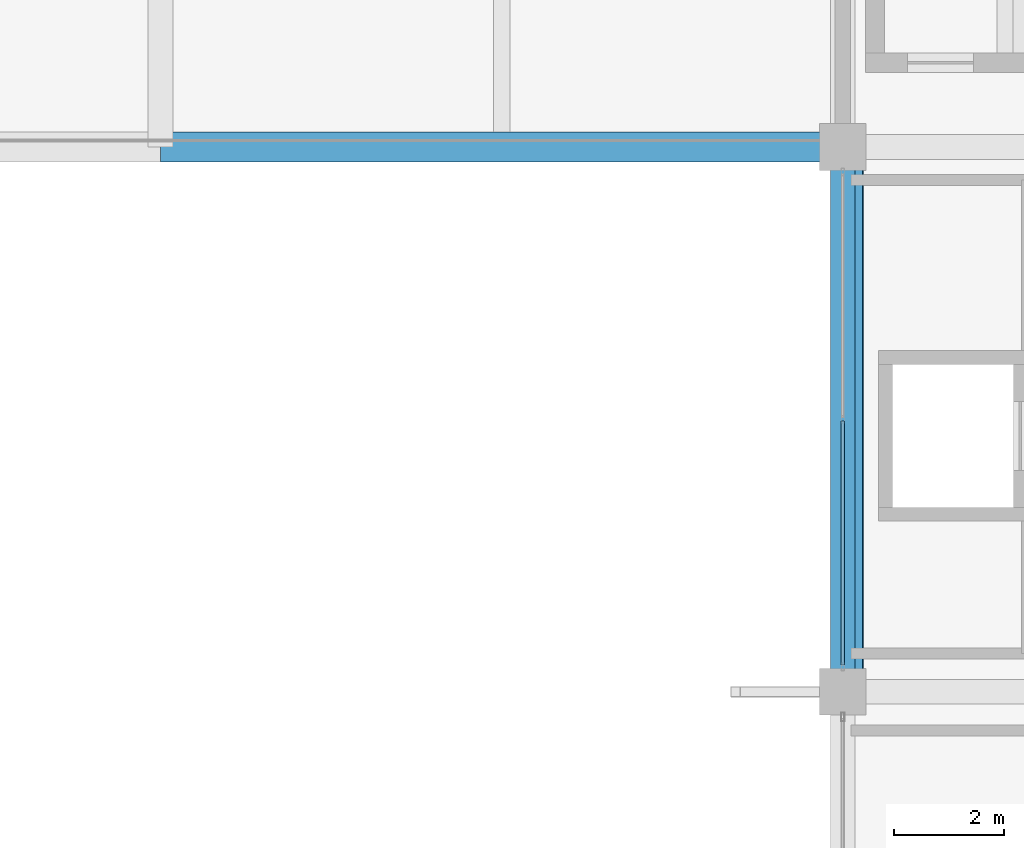
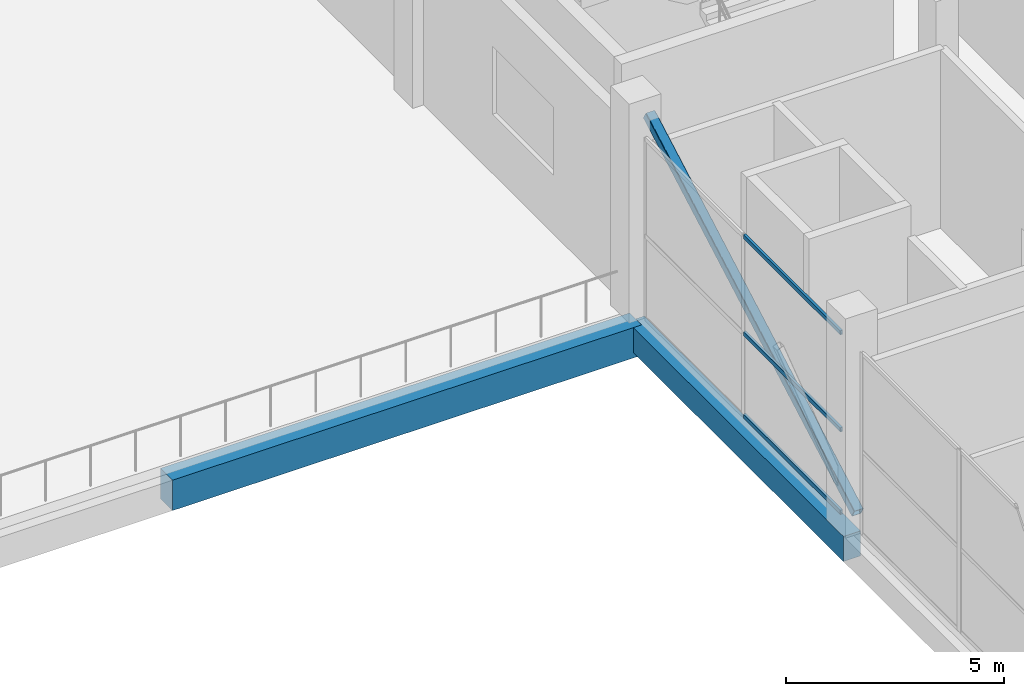
# One storey, part 15 of 46: 4 members, 2 beams, 1 element without a shape of its own.
"""IFC4 building model written with IfcOpenShell, lengths in metres."""

import ifcopenshell
import ifcopenshell.guid

model = None  # the IFC model being written
_history = None  # IfcOwnerHistory: only IFC2X3 demands one
_inside = {}  # id of a spatial element -> (the spatial element, [elements in it])
_under = {}  # id of a project, library or spatial element -> (it, [spatial elements below it])
_declared = {}  # id of a project -> (the project, [libraries it declares])
_typed = {}  # id of a type object -> (the type object, [elements of that type])
_made_of = {}  # id of a material, layer set ... -> (it, [elements and type objects made of it])


def new_model(schema):
    """Start an empty IFC model of exactly this schema.

    Asked for "IFC4X3", IfcOpenShell would pick the latest addendum, in which some entities
    have other attributes; the version numbers below select the first issue.
    IFC2X3 requires an IfcOwnerHistory on every rooted entity: one is made here for all.
    """
    global model, _history
    if schema == "IFC4X3":
        model = ifcopenshell.file(schema_version=(4, 3, 0, 0))
    else:
        model = ifcopenshell.file(schema=schema)
    _inside.clear()
    _under.clear()
    _declared.clear()
    _typed.clear()
    _made_of.clear()
    _history = None
    if model.schema == "IFC2X3":
        org = make("IfcOrganization", Name="unknown")
        user = make(
            "IfcPersonAndOrganization",
            ThePerson=make("IfcPerson", FamilyName="unknown"),
            TheOrganization=org,
        )
        app = make(
            "IfcApplication",
            ApplicationDeveloper=org,
            Version="unknown",
            ApplicationFullName="unknown",
            ApplicationIdentifier="unknown",
        )
        _history = make(
            "IfcOwnerHistory",
            OwningUser=user,
            OwningApplication=app,
            ChangeAction="ADDED",
            CreationDate=0,
        )
    return model


def make(cls, **values):
    """One entity of the class cls with the attributes given. An attribute that is None is left unset."""
    return model.create_entity(
        cls, **{name: value for name, value in values.items() if value is not None}
    )


def rooted(cls, **values):
    """An entity with a GlobalId (a new one), such as an element, a storey or a relation."""
    return make(cls, GlobalId=ifcopenshell.guid.new(), OwnerHistory=_history, **values)


def si_unit(unit_type, name, prefix=None):
    """IfcSIUnit, for example si_unit("LENGTHUNIT", "METRE", prefix="MILLI")."""
    return make("IfcSIUnit", UnitType=unit_type, Prefix=prefix, Name=name)


def assignment(units):
    """IfcUnitAssignment: the units of a project."""
    return None if units is None else make("IfcUnitAssignment", Units=units)


def point(xyz):
    """IfcCartesianPoint."""
    return None if xyz is None else make("IfcCartesianPoint", Coordinates=xyz)


def direction(xyz):
    """IfcDirection."""
    return None if xyz is None else make("IfcDirection", DirectionRatios=xyz)


def frame(location, z_axis=None, x_axis=None):
    """IfcAxis2Placement3D, a coordinate frame: its origin and axes. An axis left out is left unset."""
    return make(
        "IfcAxis2Placement3D",
        Location=point(location),
        Axis=direction(z_axis),
        RefDirection=direction(x_axis),
    )


def frame_2d(location, x_axis=None):
    """IfcAxis2Placement2D, a coordinate frame in the plane: its origin and x axis."""
    return make(
        "IfcAxis2Placement2D", Location=point(location), RefDirection=direction(x_axis)
    )


def origin():
    """The frame at (0, 0, 0) with its axes left unset."""
    return frame((0.0, 0.0, 0.0))


def origin_2d():
    """The frame at (0, 0) in the plane with its x axis left unset."""
    return frame_2d((0.0, 0.0))


def place(relative_to, where):
    """IfcLocalPlacement: puts the frame where relative to a parent placement (None: the world)."""
    return make(
        "IfcLocalPlacement", PlacementRelTo=relative_to, RelativePlacement=where
    )


def context(
    kind, dimensions, precision=None, world=None, true_north=None, identifier=None
):
    """IfcGeometricRepresentationContext, for example the 3D "Model" context."""
    return make(
        "IfcGeometricRepresentationContext",
        ContextIdentifier=identifier,
        ContextType=kind,
        CoordinateSpaceDimension=dimensions,
        Precision=precision,
        WorldCoordinateSystem=world,
        TrueNorth=true_north,
    )


def subcontext(parent, identifier, kind, view, scale=None):
    """IfcGeometricRepresentationSubContext, for example "Body" below "Model"."""
    return make(
        "IfcGeometricRepresentationSubContext",
        ContextIdentifier=identifier,
        ContextType=kind,
        ParentContext=parent,
        TargetScale=scale,
        TargetView=view,
    )


def project(units=None, contexts=None):
    """IfcProject with its units and contexts."""
    return rooted(
        "IfcProject",
        Name="project",
        RepresentationContexts=contexts,
        UnitsInContext=assignment(units),
    )


def spatial(cls, under=None, at=None, **own):
    """A site, building, storey or space (cls), placed at a placement, below another one or the project."""
    s = rooted(cls, ObjectPlacement=at, **own)
    if under is not None:
        _under.setdefault(under.id(), (under, []))[1].append(s)
    return s


def profile(cls, at=None, kind="AREA", **sizes):
    """A parametric profile (cls). Its sizes go by their IFC names, for example OverallWidth=200.0."""
    return make(cls, ProfileType=kind, Position=at, **sizes)


def rectangle(**sizes):
    """IfcRectangleProfileDef."""
    return profile("IfcRectangleProfileDef", **sizes)


def hollow_rectangle(**sizes):
    """IfcRectangleHollowProfileDef."""
    return profile("IfcRectangleHollowProfileDef", **sizes)


def extrude(swept, where, along, depth):
    """IfcExtrudedAreaSolid: the profile swept, set in the frame where, extruded along a direction by depth."""
    return make(
        "IfcExtrudedAreaSolid",
        SweptArea=swept,
        Position=where,
        ExtrudedDirection=direction(along),
        Depth=depth,
    )


def shape(context_of_items, identifier, shape_type, items):
    """IfcShapeRepresentation: the items that make up one representation, for example the "Body"."""
    return make(
        "IfcShapeRepresentation",
        ContextOfItems=context_of_items,
        RepresentationIdentifier=identifier,
        RepresentationType=shape_type,
        Items=items,
    )


def material(Name=None, Category=None):
    """IfcMaterial."""
    return make("IfcMaterial", Name=Name, Category=Category)


def layer(
    of_material, thickness, ventilated=None, Name=None, Category=None, Priority=None
):
    """IfcMaterialLayer: one layer of a wall or slab, of a material (None: an air gap)."""
    return make(
        "IfcMaterialLayer",
        Material=of_material,
        LayerThickness=thickness,
        IsVentilated=ventilated,
        Name=Name,
        Category=Category,
        Priority=Priority,
    )


def layer_set(layers, Name=None):
    """IfcMaterialLayerSet."""
    return make("IfcMaterialLayerSet", MaterialLayers=layers, LayerSetName=Name)


def material_profile(
    of_material, cross_section, Name=None, Category=None, Priority=None
):
    """IfcMaterialProfile: a cross section and its material."""
    return make(
        "IfcMaterialProfile",
        Name=Name,
        Material=of_material,
        Profile=cross_section,
        Priority=Priority,
        Category=Category,
    )


def profile_set(profiles, Name=None, composite=None):
    """IfcMaterialProfileSet."""
    return make(
        "IfcMaterialProfileSet",
        Name=Name,
        MaterialProfiles=profiles,
        CompositeProfile=composite,
    )


def made_of(thing, what):
    """Note that an element or type object is made of a material, layer set ...; save() writes the relation."""
    if what is not None:
        _made_of.setdefault(what.id(), (what, []))[1].append(thing)
    return thing


def type_object(cls, material=None, **own):
    """A type object (cls), such as IfcWallType, which elements share."""
    return made_of(rooted(cls, **own), material)


def element(
    cls,
    number,
    at=None,
    inside=None,
    cuts=None,
    type_object=None,
    material=None,
    context=None,
    identifier="Body",
    shape_type=None,
    held_by="IfcProductDefinitionShape",
    body=None,
    shapes=None,
    **own,
):
    """One element of the class cls, such as IfcWall. Its Tag is "e" and its number.

    at: its placement. inside: the storey or other place that contains it. cuts: it is an
    opening in that element (IfcRelVoidsElement). A single representation is given by context,
    identifier, shape_type and body (its items); several are given by shapes. held_by: the class
    of the entity that holds the representations. save() writes the other relations.
    """
    e = rooted(cls, Tag="e%d" % number, ObjectPlacement=at, **own)
    if body is not None:
        shapes = [shape(context, identifier, shape_type, body)]
    if shapes is not None:
        e.Representation = make(held_by, Representations=shapes)
    if inside is not None:
        _inside.setdefault(inside.id(), (inside, []))[1].append(e)
    if cuts is not None:
        rooted(
            "IfcRelVoidsElement", RelatingBuildingElement=cuts, RelatedOpeningElement=e
        )
    if type_object is not None:
        _typed.setdefault(type_object.id(), (type_object, []))[1].append(e)
    return made_of(e, material)


def aggregate(whole, parts):
    """IfcRelAggregates: a whole, such as a stair, and the parts it consists of."""
    return rooted("IfcRelAggregates", RelatingObject=whole, RelatedObjects=parts)


def save(model, path):
    """Write the relations noted so far, then the file.

    IfcRelAggregates (storeys below a building ...), IfcRelContainedInSpatialStructure (elements
    in a storey), IfcRelDefinesByType, IfcRelAssociatesMaterial and IfcRelDeclares: one each for
    every whole, place, type object, material and project.
    """
    for whole, parts in _under.values():
        aggregate(whole, parts)
    for where, things in _inside.values():
        rooted(
            "IfcRelContainedInSpatialStructure",
            RelatedElements=things,
            RelatingStructure=where,
        )
    for kind, things in _typed.values():
        rooted("IfcRelDefinesByType", RelatedObjects=things, RelatingType=kind)
    for what, things in _made_of.values():
        rooted("IfcRelAssociatesMaterial", RelatedObjects=things, RelatingMaterial=what)
    for by, libraries in _declared.values():
        rooted("IfcRelDeclares", RelatingContext=by, RelatedDefinitions=libraries)
    model.write(path)


model = new_model("IFC4")

# Units and contexts
model_context = context("Model", 3, precision=1e-05, world=origin(), true_north=direction((0.0, 1.0)))
body_context = subcontext(model_context, "Body", "Model", "MODEL_VIEW")
ifc_project = project(units=[si_unit("LENGTHUNIT", "METRE"), si_unit("AREAUNIT", "SQUARE_METRE"), si_unit("VOLUMEUNIT", "CUBIC_METRE"), si_unit("PLANEANGLEUNIT", "RADIAN"), si_unit("MASSUNIT", "GRAM", prefix="KILO")], contexts=[model_context])

# Site, building, storey
site_placement = place(None, origin())
site = spatial("IfcSite", under=ifc_project, at=site_placement, CompositionType="ELEMENT")
building_placement = place(site_placement, origin())
building = spatial("IfcBuilding", under=site, at=building_placement, Name="Sillaruma Civic Art Gallery", CompositionType="ELEMENT")
storey_placement = place(building_placement, frame((0.0, 0.0, 16.320068359375)))
storey = spatial("IfcBuildingStorey", under=building, at=storey_placement, Name="L03", CompositionType="ELEMENT", Elevation=16.320068359375)

# Beams
ifc_material_1 = material(Name="Concrete H40 (40 MPa)", Category="concrete")
ifc_material_profile_1 = material_profile(ifc_material_1, rectangle(XDim=0.550048828125, YDim=0.85009765625, at=origin_2d()), Name="RCB550x850")
ifc_profile_set_1 = profile_set([ifc_material_profile_1], Name="Concrete H40 (40 MPa)")
beam_type_1 = type_object("IfcBeamType", Name="BM-BEAM-RCB550x850", PredefinedType="BEAM", material=ifc_profile_set_1)
beam_1_placement = place(storey_placement, frame((49.60009765625, 79.199951171875, -0.705078125), z_axis=(1.0, 0.0, 0.0), x_axis=(0.0, 1.0, 0.0)))
element("IfcBeam", 1, at=beam_1_placement, inside=storey, type_object=beam_type_1, Name="Beam BM-01 (L02:9:E-F)", PredefinedType="BEAM", context=body_context, shape_type="SweptSolid", body=[
    extrude(rectangle(XDim=0.550048828125, YDim=0.85009765625, at=origin_2d()), origin(), (0.0, 0.0, 1.0), 12.39990234375),
])
ifc_material_2 = material(Name="Concrete H35 (35 MPa)", Category="concrete")
ifc_material_profile_2 = material_profile(ifc_material_2, rectangle(XDim=0.449951171875, YDim=0.699951171875, at=origin_2d()), Name="RCB450x700")
ifc_profile_set_2 = profile_set([ifc_material_profile_2], Name="Concrete H35 (35 MPa)")
beam_type_2 = type_object("IfcBeamType", Name="BM-SPANDREL-RCB450x700", PredefinedType="SPANDREL", material=ifc_profile_set_2)
beam_2_placement = place(storey_placement, frame((62.0, 69.300048828125, -0.630126953125), z_axis=(0.0, 1.0, 0.0), x_axis=(-1.0, 0.0, 0.0)))
element("IfcBeam", 2, at=beam_2_placement, inside=storey, type_object=beam_type_2, Name="Beam BS-03 (L02:F:8-9)", PredefinedType="SPANDREL", context=body_context, shape_type="SweptSolid", body=[
    extrude(rectangle(XDim=0.449951171875, YDim=0.699951171875, at=origin_2d()), origin(), (0.0, 0.0, 1.0), 9.89990234375),
])

# Member
ifc_material_3 = material(Name="Structural Steel ASTM A500 Gr.C", Category="steel")
ifc_material_profile_3 = material_profile(ifc_material_3, hollow_rectangle(XDim=0.25, YDim=0.25, WallThickness=0.012451171875, InnerFilletRadius=0.012451171875, OuterFilletRadius=0.02490234375, at=origin_2d()), Name="HSS250x250x12.5")
ifc_profile_set_3 = profile_set([ifc_material_profile_3], Name="Structural Steel ASTM A500 Gr.C")
member_type_1 = type_object("IfcMemberType", Name="MEM-MEGA-BRACE", PredefinedType="BRACE", material=ifc_profile_set_3)
member_1_placement = place(storey_placement, frame((62.25, 69.47998046875, 0.119873046875), z_axis=(0.0, 0.872597010245, 0.488440843615), x_axis=(-1.0, 0.0, 0.0)))
element("IfcMember", 3, at=member_1_placement, inside=storey, type_object=member_type_1, Name="Gallery Spine Diagonal Steel Brace (L03-W2)", PredefinedType="BRACE", context=body_context, shape_type="SweptSolid", body=[
    extrude(hollow_rectangle(XDim=0.25, YDim=0.25, WallThickness=0.012451171875, InnerFilletRadius=0.012451171875, OuterFilletRadius=0.02490234375, at=origin_2d()), origin(), (0.0, 0.0, 1.0), 10.932861328125),
])

# Curtain wall, members
ifc_material_4 = material(Name="Thermally Broken Extruded Aluminium 6063-T6", Category="aluminium")
ifc_layer = layer(ifc_material_4, 0.139892578125, Name="Thermally Broken Extruded Aluminium 6063-T6")
ifc_layer_set = layer_set([ifc_layer], Name="Thermally Broken Extruded Aluminium 6063-T6")
curtain_wall_type = type_object("IfcCurtainWallType", Name="CW-UNI-20", PredefinedType="NOTDEFINED", material=ifc_layer_set)
curtain_wall_placement = place(storey_placement, origin())
curtain_wall = element("IfcCurtainWall", 4, at=curtain_wall_placement, inside=storey, type_object=curtain_wall_type, Name="Unitised Curtain Wall CW-20 (CW-L03-W-6)", PredefinedType="NOTDEFINED")
ifc_material_profile_4 = material_profile(ifc_material_4, hollow_rectangle(XDim=0.06494140625, YDim=0.1201171875, WallThickness=0.00341796875, at=origin_2d()), Name="CWT65x120")
ifc_profile_set_4 = profile_set([ifc_material_profile_4], Name="Thermally Broken Extruded Aluminium 6063-T6")
member_type_2 = type_object("IfcMemberType", Name="MEM-TRN-CWT65x120", PredefinedType="USERDEFINED", material=ifc_profile_set_4)
member_2_placement = place(storey_placement, frame((62.0, 69.784912109375, 0.032470703125), z_axis=(0.0, 1.0, 0.0), x_axis=(-1.0, 0.0, 0.0)))
member_2 = element("IfcMember", 5, at=member_2_placement, type_object=member_type_2, Name="CW-20 transom 1.1", ObjectType="TRANSOM", PredefinedType="USERDEFINED", context=body_context, shape_type="SweptSolid", body=[
    extrude(hollow_rectangle(XDim=0.06494140625, YDim=0.1201171875, WallThickness=0.00341796875, at=origin_2d()), origin(), (0.0, 0.0, 1.0), 4.43505859375),
])
member_3_placement = place(storey_placement, frame((62.0, 69.784912109375, 2.336669921875), z_axis=(0.0, 1.0, 0.0), x_axis=(-1.0, 0.0, 0.0)))
member_3 = element("IfcMember", 6, at=member_3_placement, type_object=member_type_2, Name="CW-20 transom 1.2", ObjectType="TRANSOM", PredefinedType="USERDEFINED", context=body_context, shape_type="SweptSolid", body=[
    extrude(hollow_rectangle(XDim=0.06494140625, YDim=0.1201171875, WallThickness=0.00341796875, at=origin_2d()), origin(), (0.0, 0.0, 1.0), 4.43505859375),
])
member_4_placement = place(storey_placement, frame((62.0, 69.784912109375, 5.04736328125), z_axis=(0.0, 1.0, 0.0), x_axis=(-1.0, 0.0, 0.0)))
member_4 = element("IfcMember", 7, at=member_4_placement, type_object=member_type_2, Name="CW-20 transom 1.3", ObjectType="TRANSOM", PredefinedType="USERDEFINED", context=body_context, shape_type="SweptSolid", body=[
    extrude(hollow_rectangle(XDim=0.06494140625, YDim=0.1201171875, WallThickness=0.00341796875, at=origin_2d()), origin(), (0.0, 0.0, 1.0), 4.43505859375),
])
aggregate(curtain_wall, [member_2, member_3, member_4])

save(model, "model.ifc")
